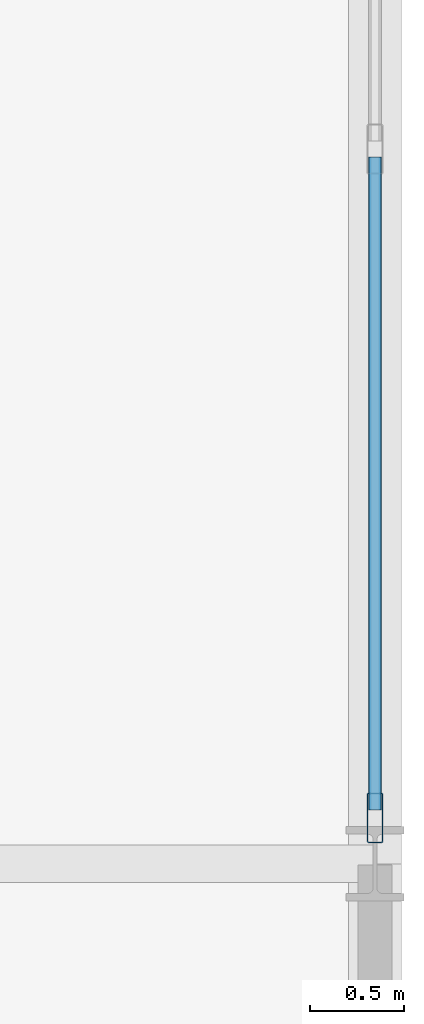
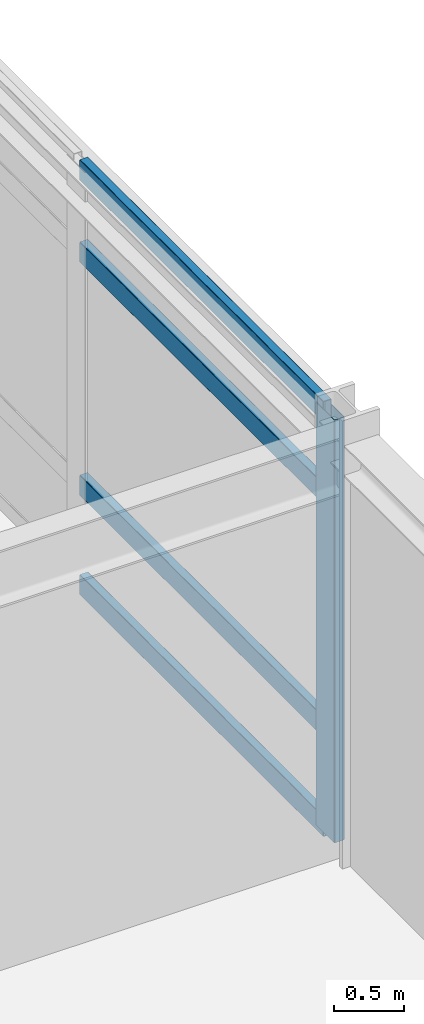
# One storey, part 7 of 17: 5 members, 1 element without a shape of its own.
"""IFC4 building model written with IfcOpenShell, lengths in metres."""

from ifc_helpers import new_model, si_unit, direction, frame, origin, origin_2d, place, context, subcontext, project, spatial, hollow_rectangle, extrude, material, layer, layer_set, material_profile, profile_set, type_object, element, aggregate, save


model = new_model("IFC4")

# Units and contexts
model_context = context("Model", 3, precision=1e-05, world=origin(), true_north=direction((0.0, 1.0)))
body_context = subcontext(model_context, "Body", "Model", "MODEL_VIEW")
ifc_project = project(units=[si_unit("LENGTHUNIT", "METRE"), si_unit("AREAUNIT", "SQUARE_METRE"), si_unit("VOLUMEUNIT", "CUBIC_METRE"), si_unit("PLANEANGLEUNIT", "RADIAN"), si_unit("MASSUNIT", "GRAM", prefix="KILO")], contexts=[model_context])

# Site, building, storey
site_placement = place(None, origin())
site = spatial("IfcSite", under=ifc_project, at=site_placement, CompositionType="ELEMENT")
building_placement = place(site_placement, origin())
building = spatial("IfcBuilding", under=site, at=building_placement, Name="Shalkamar Park Central Library", CompositionType="ELEMENT")
storey_placement = place(building_placement, frame((0.0, 0.0, 36.0)))
storey = spatial("IfcBuildingStorey", under=building, at=storey_placement, Name="L09", CompositionType="ELEMENT", Elevation=36.0)

# Curtain wall, members
ifc_material_1 = material(Name="Thermally broken aluminium and triple low-e curtain wall", Category="aluminium")
ifc_layer = layer(ifc_material_1, 0.264892578125)
ifc_layer_set = layer_set([ifc_layer], Name="UnitisedCurtainWall_81")
curtain_wall_type = type_object("IfcCurtainWallType", Name="Unitised Curtain Wall 81", PredefinedType="USERDEFINED", material=ifc_layer_set)
curtain_wall_placement = place(storey_placement, origin())
curtain_wall = element("IfcCurtainWall", 1, at=curtain_wall_placement, inside=storey, type_object=curtain_wall_type, Name="Unitised Curtain Wall CW-L09-118", ObjectType="UNITISED CURTAIN WALL", PredefinedType="USERDEFINED")
ifc_material_2 = material(Name="Aluminium 6060-T66", Category="aluminium")
ifc_material_profile_1 = material_profile(ifc_material_2, hollow_rectangle(XDim=0.0849609375, YDim=0.264892578125, WallThickness=0.0048828125, InnerFilletRadius=0.0048828125, OuterFilletRadius=0.007568359375, at=origin_2d()), Name="ALU 85x265x5")
ifc_profile_set_1 = profile_set([ifc_material_profile_1], Name="Aluminium 6060-T66")
member_type_1 = type_object("IfcMemberType", Name="Curtain Wall Mullion ALU85x265", PredefinedType="MULLION", material=ifc_profile_set_1)
member_1_placement = place(storey_placement, frame((221.0, 278.243896484375, 0.0), z_axis=(0.0, 0.0, 1.0), x_axis=(-1.0, 0.0, 0.0)))
member_1 = element("IfcMember", 2, at=member_1_placement, type_object=member_type_1, Name="CW-81 mullion 1", PredefinedType="MULLION", context=body_context, shape_type="SweptSolid", body=[
    extrude(hollow_rectangle(XDim=0.0849609375, YDim=0.264892578125, WallThickness=0.0048828125, InnerFilletRadius=0.0048828125, OuterFilletRadius=0.007568359375, at=origin_2d()), origin(), (0.0, 0.0, 1.0), 3.679931640625),
])
ifc_material_profile_2 = material_profile(ifc_material_2, hollow_rectangle(XDim=0.070068359375, YDim=0.179931640625, WallThickness=0.00439453125, InnerFilletRadius=0.00439453125, OuterFilletRadius=0.0068359375, at=origin_2d()), Name="ALU 70x180x4.5")
ifc_profile_set_2 = profile_set([ifc_material_profile_2], Name="Aluminium 6060-T66")
member_type_2 = type_object("IfcMemberType", Name="Curtain Wall Transom ALU70x180", PredefinedType="USERDEFINED", material=ifc_profile_set_2)
member_2_placement = place(storey_placement, frame((221.0, 278.28662109375, 0.034912109375), z_axis=(0.0, 1.0, 0.0), x_axis=(-1.0, 0.0, 0.0)))
member_2 = element("IfcMember", 3, at=member_2_placement, type_object=member_type_2, Name="CW-81 transom 1.1", ObjectType="TRANSOM", PredefinedType="USERDEFINED", context=body_context, shape_type="SweptSolid", body=[
    extrude(hollow_rectangle(XDim=0.070068359375, YDim=0.179931640625, WallThickness=0.00439453125, InnerFilletRadius=0.00439453125, OuterFilletRadius=0.0068359375, at=origin_2d()), origin(), (0.0, 0.0, 1.0), 3.470947265625),
])
member_3_placement = place(storey_placement, frame((221.0, 278.28662109375, 0.89990234375), z_axis=(0.0, 1.0, 0.0), x_axis=(-1.0, 0.0, 0.0)))
member_3 = element("IfcMember", 4, at=member_3_placement, type_object=member_type_2, Name="CW-81 transom 1.2", ObjectType="TRANSOM", PredefinedType="USERDEFINED", context=body_context, shape_type="SweptSolid", body=[
    extrude(hollow_rectangle(XDim=0.070068359375, YDim=0.179931640625, WallThickness=0.00439453125, InnerFilletRadius=0.00439453125, OuterFilletRadius=0.0068359375, at=origin_2d()), origin(), (0.0, 0.0, 1.0), 3.470947265625),
])
member_4_placement = place(storey_placement, frame((221.0, 278.28662109375, 2.929931640625), z_axis=(0.0, 1.0, 0.0), x_axis=(-1.0, 0.0, 0.0)))
member_4 = element("IfcMember", 5, at=member_4_placement, type_object=member_type_2, Name="CW-81 transom 1.3", ObjectType="TRANSOM", PredefinedType="USERDEFINED", context=body_context, shape_type="SweptSolid", body=[
    extrude(hollow_rectangle(XDim=0.070068359375, YDim=0.179931640625, WallThickness=0.00439453125, InnerFilletRadius=0.00439453125, OuterFilletRadius=0.0068359375, at=origin_2d()), origin(), (0.0, 0.0, 1.0), 3.470947265625),
])
member_5_placement = place(storey_placement, frame((221.0, 278.28662109375, 3.64501953125), z_axis=(0.0, 1.0, 0.0), x_axis=(-1.0, 0.0, 0.0)))
member_5 = element("IfcMember", 6, at=member_5_placement, type_object=member_type_2, Name="CW-81 transom 1.4", ObjectType="TRANSOM", PredefinedType="USERDEFINED", context=body_context, shape_type="SweptSolid", body=[
    extrude(hollow_rectangle(XDim=0.070068359375, YDim=0.179931640625, WallThickness=0.00439453125, InnerFilletRadius=0.00439453125, OuterFilletRadius=0.0068359375, at=origin_2d()), origin(), (0.0, 0.0, 1.0), 3.470947265625),
])
aggregate(curtain_wall, [member_1, member_2, member_3, member_4, member_5])

save(model, "model.ifc")
